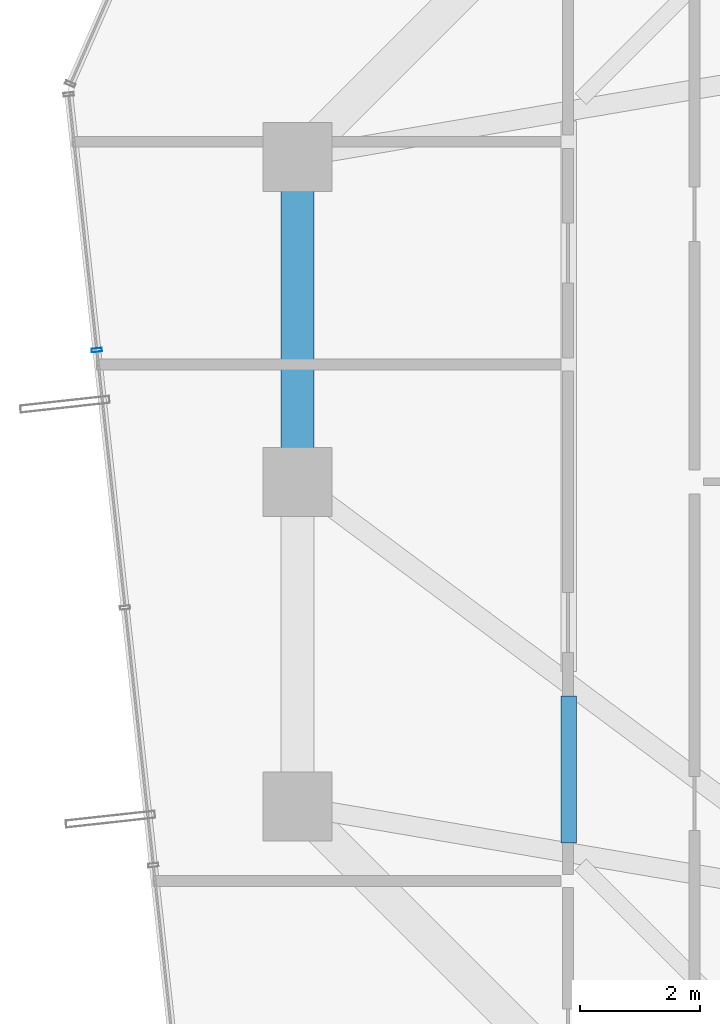
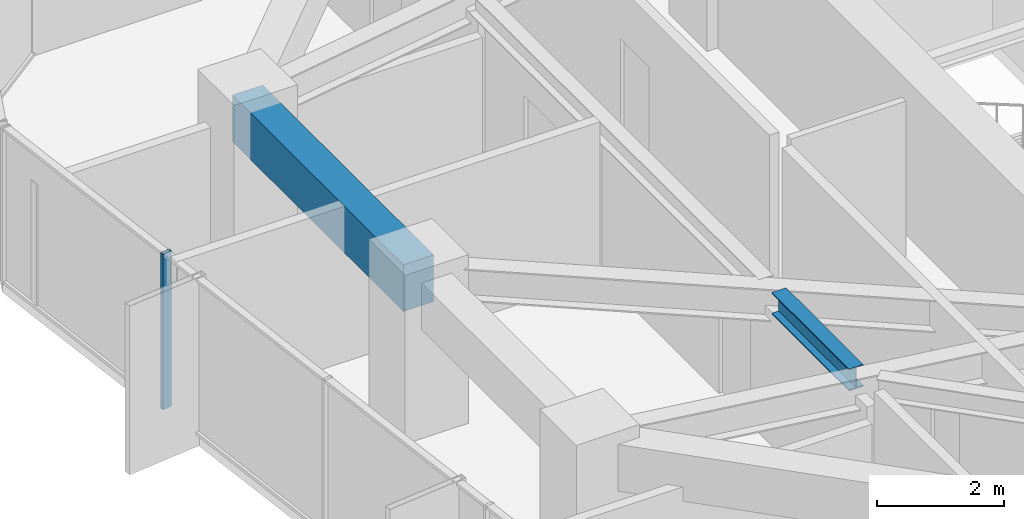
# One storey, part 11 of 34: 2 beams, 1 member, 1 element without a shape of its own.
"""IFC4 building model written with IfcOpenShell, lengths in metres."""

from ifc_helpers import new_model, si_unit, direction, frame, origin, origin_2d, place, context, subcontext, project, spatial, rectangle, hollow_rectangle, i_section, extrude, source, transform, mapped, material, layer, layer_set, material_profile, profile_set, type_object, element, aggregate, save


model = new_model("IFC4")

# Units and contexts
model_context = context("Model", 3, precision=1e-05, world=origin(), true_north=direction((0.0, 1.0)))
body_context = subcontext(model_context, "Body", "Model", "MODEL_VIEW")
ifc_project = project(units=[si_unit("LENGTHUNIT", "METRE"), si_unit("AREAUNIT", "SQUARE_METRE"), si_unit("VOLUMEUNIT", "CUBIC_METRE"), si_unit("PLANEANGLEUNIT", "RADIAN"), si_unit("MASSUNIT", "GRAM", prefix="KILO")], contexts=[model_context])

# Site, building, storey
site_placement = place(None, origin())
site = spatial("IfcSite", under=ifc_project, at=site_placement, CompositionType="ELEMENT")
building_placement = place(site_placement, origin())
building = spatial("IfcBuilding", under=site, at=building_placement, Name="Veraguas Prism Commons", CompositionType="ELEMENT")
storey_placement = place(building_placement, frame((0.0, 0.0, 149.0)))
storey = spatial("IfcBuildingStorey", under=building, at=storey_placement, Name="L42", CompositionType="ELEMENT", Elevation=149.0)

# Beams
ifc_material_1 = material(Name="Steel ASTM A992 Grade 50", Category="steel")
ifc_material_profile_1 = material_profile(ifc_material_1, i_section(OverallWidth=0.260986328125, OverallDepth=0.419921875, WebThickness=0.01171875, FlangeThickness=0.019287109375, at=origin_2d()), Name="W410X114")
ifc_profile_set_1 = profile_set([ifc_material_profile_1], Name="Steel ASTM A992 Grade 50")
beam_type_1 = type_object("IfcBeamType", Name="Lower Floor Joist W410x114", PredefinedType="JOIST", material=ifc_profile_set_1)
beam_1_placement = place(storey_placement, frame((12.31201171875, 20.43798828125, 2.7900390625), z_axis=(0.0, -1.0, 0.0), x_axis=(1.0, 0.0, 0.0)))
element("IfcBeam", 1, at=beam_1_placement, inside=storey, type_object=beam_type_1, Name="Composite Floor Joist L42-JS08", PredefinedType="JOIST", context=body_context, shape_type="SweptSolid", body=[
    extrude(i_section(OverallWidth=0.260986328125, OverallDepth=0.419921875, WebThickness=0.01171875, FlangeThickness=0.019287109375, at=origin_2d()), origin(), (0.0, 0.0, 1.0), 2.441650390625),
])
ifc_material_2 = material(Name="Concrete C50/60", Category="concrete")
ifc_material_profile_2 = material_profile(ifc_material_2, rectangle(XDim=0.550048828125, YDim=0.89990234375, at=origin_2d()), Name="RC550X900")
ifc_profile_set_2 = profile_set([ifc_material_profile_2], Name="Concrete C50/60")
beam_type_2 = type_object("IfcBeamType", Name="Perimeter Spandrel Lower RC 550x900", PredefinedType="SPANDREL", material=ifc_profile_set_2)
beam_2_placement = place(storey_placement, frame((7.800048828125, 29.39990234375, 2.550048828125), z_axis=(0.0, -1.0, 0.0), x_axis=(1.0, 0.0, 0.0)))
element("IfcBeam", 2, at=beam_2_placement, inside=storey, type_object=beam_type_2, Name="Perimeter Spandrel Beam L42-SP07", PredefinedType="SPANDREL", context=body_context, shape_type="SweptSolid", body=[
    extrude(rectangle(XDim=0.550048828125, YDim=0.89990234375, at=origin_2d()), origin(), (0.0, 0.0, 1.0), 5.39990234375),
])

# Curtain wall, member
ifc_material_3 = material(Name="Anodised aluminium EN AW-6063 T6", Category="aluminium")
ifc_layer = layer(ifc_material_3, 0.169921875, Name="Unitised Flush Curtain Wall Zone 2", Category="aluminium")
ifc_layer_set = layer_set([ifc_layer], Name="Anodised aluminium EN AW-6063 T6")
curtain_wall_type = type_object("IfcCurtainWallType", Name="Unitised Flush Curtain Wall Zone 2", PredefinedType="NOTDEFINED", material=ifc_layer_set)
curtain_wall_placement = place(storey_placement, origin())
curtain_wall = element("IfcCurtainWall", 3, at=curtain_wall_placement, inside=storey, type_object=curtain_wall_type, Name="Tower Facade Curtain Wall L42-F3", PredefinedType="NOTDEFINED")
ifc_material_profile_3 = material_profile(ifc_material_3, hollow_rectangle(XDim=0.06005859375, YDim=0.169921875, WallThickness=0.00390625, at=origin_2d()), Name="AL60X170X4")
ifc_profile_set_3 = profile_set([ifc_material_profile_3], Name="Anodised aluminium EN AW-6063 T6")
member_type = type_object("IfcMemberType", Name="Curtain Wall Mullion Lower AL 60x170x4", PredefinedType="MULLION", material=ifc_profile_set_3)
shared_shape = source(origin(), body_context, "Body", "SweptSolid", [
    extrude(hollow_rectangle(XDim=0.06005859375, YDim=0.169921875, WallThickness=0.00390625, at=origin_2d()), origin(), (0.0, 0.0, 1.0), 3.0),
])
member_placement = place(storey_placement, frame((4.462158203125, 26.191162109375, 0.0), z_axis=(0.0, 0.0, 1.0), x_axis=(0.109043838598, -0.994036941599, 0.0)))
member = element("IfcMember", 4, at=member_placement, type_object=member_type, Name="CW-Z2 Mullion 2", PredefinedType="MULLION", context=body_context, shape_type="MappedRepresentation", body=[
    mapped(shared_shape, transform((0.0, 0.0, 0.0), scale=1.0)),
])
aggregate(curtain_wall, [member])

save(model, "model.ifc")
